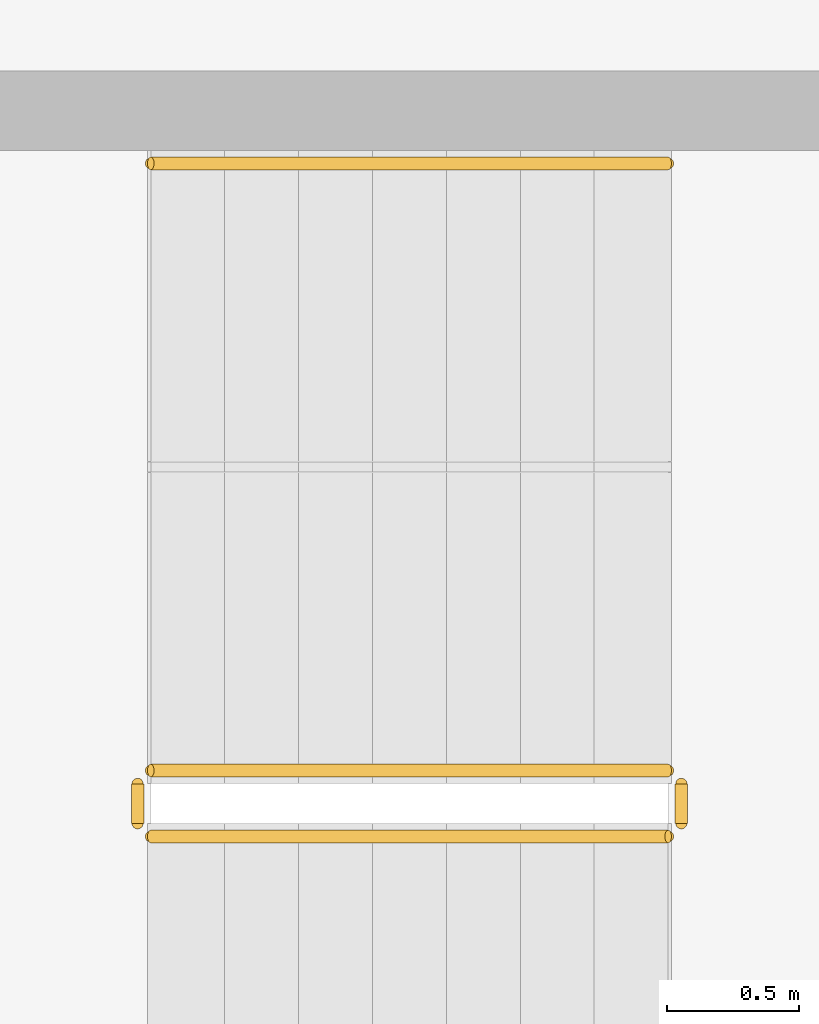
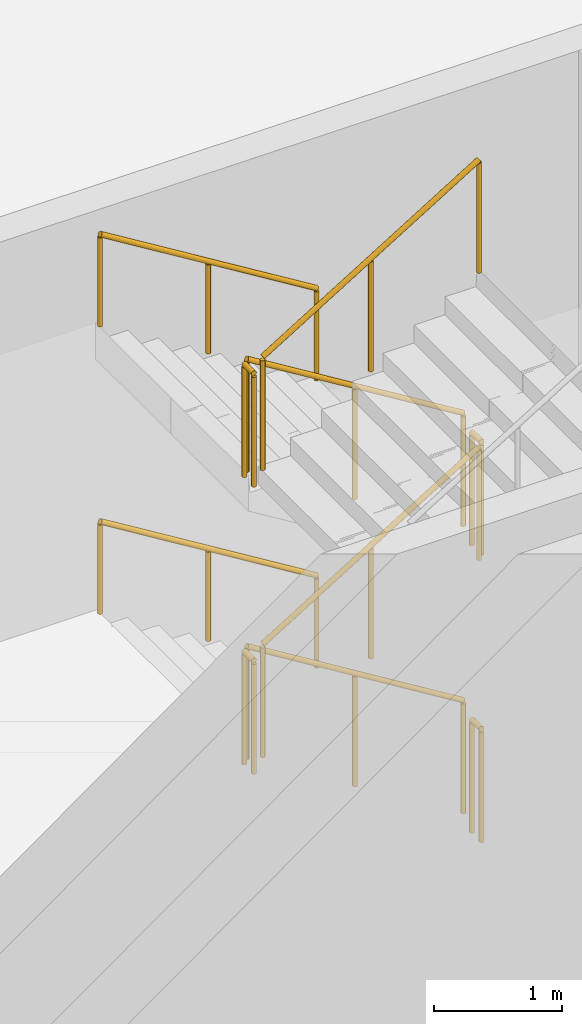
# One storey, part 21 of 25: 10 railings.
"""IFC4 building model written with IfcOpenShell, lengths in metres."""

from ifc_helpers import new_model, si_unit, direction, frame, origin, origin_2d, place, context, subcontext, project, spatial, circle, extrude, material, type_object, element, save


model = new_model("IFC4")

# Units and contexts
model_context = context("Model", 3, precision=1e-05, world=origin(), true_north=direction((0.0, 1.0)))
body_context = subcontext(model_context, "Body", "Model", "MODEL_VIEW")
ifc_project = project(units=[si_unit("LENGTHUNIT", "METRE"), si_unit("AREAUNIT", "SQUARE_METRE"), si_unit("VOLUMEUNIT", "CUBIC_METRE"), si_unit("PLANEANGLEUNIT", "RADIAN"), si_unit("MASSUNIT", "GRAM", prefix="KILO")], contexts=[model_context])

# Site, building, storey
site_placement = place(None, origin())
site = spatial("IfcSite", under=ifc_project, at=site_placement, CompositionType="ELEMENT")
building_placement = place(site_placement, origin())
building = spatial("IfcBuilding", under=site, at=building_placement, Name="Wharfspan Tower", CompositionType="ELEMENT")
storey_placement = place(building_placement, frame((0.0, 0.0, 27.5)))
storey = spatial("IfcBuildingStorey", under=building, at=storey_placement, Name="L04", CompositionType="ELEMENT", Elevation=27.5)

# Railings
ifc_material = material(Name="Steel S355J2", Category="steel")
railing_type_1 = type_object("IfcRailingType", Name="Podium guard 1100", PredefinedType="GUARDRAIL", material=ifc_material)
railing_1_placement = place(storey_placement, frame((-3.199951, 28.824951, 0.171875)))
element("IfcRailing", 1, at=railing_1_placement, inside=storey, type_object=railing_type_1, Name="L04 PS3 stair guard 1", PredefinedType="GUARDRAIL", context=body_context, shape_type="SweptSolid", body=[
    extrude(circle(Radius=0.023926, at=origin_2d()), frame((0.0, 0.0, 1.076172), z_axis=(-0.852241, 0.0, 0.523149), x_axis=(0.0, -1.0, 0.0)), (0.0, 0.0, 1.0), 2.299805),
    extrude(circle(Radius=0.020996, at=origin_2d()), origin(), (0.0, 0.0, 1.0), 1.052002),
    extrude(circle(Radius=0.020996, at=origin_2d()), frame((-0.97998, 0.0, 0.601562)), (0.0, 0.0, 1.0), 1.052002),
    extrude(circle(Radius=0.020996, at=origin_2d()), frame((-1.959961, 0.0, 1.203125)), (0.0, 0.0, 1.0), 1.052002),
])
railing_2_placement = place(storey_placement, frame((-5.209961, 28.774902, 1.375)))
element("IfcRailing", 2, at=railing_2_placement, inside=storey, type_object=railing_type_1, Name="L04 PS3 stair guard 2", PredefinedType="GUARDRAIL", context=body_context, shape_type="SweptSolid", body=[
    extrude(circle(Radius=0.023926, at=origin_2d()), frame((0.0, 0.0, 1.076172), z_axis=(0.0, -1.0, 0.0), x_axis=(1.0, 0.0, 0.0)), (0.0, 0.0, 1.0), 0.149902),
    extrude(circle(Radius=0.020996, at=origin_2d()), origin(), (0.0, 0.0, 1.0), 1.052002),
    extrude(circle(Radius=0.020996, at=origin_2d()), frame((0.0, -0.149902, 0.0)), (0.0, 0.0, 1.0), 1.052002),
])
railing_3_placement = place(storey_placement, frame((-5.159912, 28.574951, 1.546875)))
element("IfcRailing", 3, at=railing_3_placement, inside=storey, type_object=railing_type_1, Name="L04 PS3 stair guard 3", PredefinedType="GUARDRAIL", context=body_context, shape_type="SweptSolid", body=[
    extrude(circle(Radius=0.023926, at=origin_2d()), frame((0.0, 0.0, 1.076172), z_axis=(0.852241, 0.0, 0.523149), x_axis=(0.0, 1.0, 0.0)), (0.0, 0.0, 1.0), 2.299805),
    extrude(circle(Radius=0.020996, at=origin_2d()), origin(), (0.0, 0.0, 1.0), 1.052002),
    extrude(circle(Radius=0.020996, at=origin_2d()), frame((0.97998, 0.0, 0.601562)), (0.0, 0.0, 1.0), 1.052002),
    extrude(circle(Radius=0.020996, at=origin_2d()), frame((1.959961, 0.0, 1.203125)), (0.0, 0.0, 1.0), 1.052002),
])
railing_4_placement = place(storey_placement, frame((-3.149902, 28.774902, 2.75)))
element("IfcRailing", 4, at=railing_4_placement, inside=storey, type_object=railing_type_1, Name="L04 PS3 stair guard 4", PredefinedType="GUARDRAIL", context=body_context, shape_type="SweptSolid", body=[
    extrude(circle(Radius=0.023926, at=origin_2d()), frame((0.0, 0.0, 1.076172), z_axis=(0.0, -1.0, 0.0), x_axis=(1.0, 0.0, 0.0)), (0.0, 0.0, 1.0), 0.149902),
    extrude(circle(Radius=0.020996, at=origin_2d()), origin(), (0.0, 0.0, 1.0), 1.052002),
    extrude(circle(Radius=0.020996, at=origin_2d()), frame((0.0, -0.149902, 0.0)), (0.0, 0.0, 1.0), 1.052002),
])
railing_5_placement = place(storey_placement, frame((-3.199951, 28.824951, 2.921875)))
element("IfcRailing", 5, at=railing_5_placement, inside=storey, type_object=railing_type_1, Name="L04 PS3 stair guard 5", PredefinedType="GUARDRAIL", context=body_context, shape_type="SweptSolid", body=[
    extrude(circle(Radius=0.023926, at=origin_2d()), frame((0.0, 0.0, 1.076172), z_axis=(-0.852241, 0.0, 0.523149), x_axis=(0.0, -1.0, 0.0)), (0.0, 0.0, 1.0), 2.299805),
    extrude(circle(Radius=0.020996, at=origin_2d()), origin(), (0.0, 0.0, 1.0), 1.052002),
    extrude(circle(Radius=0.020996, at=origin_2d()), frame((-0.97998, 0.0, 0.601562)), (0.0, 0.0, 1.0), 1.052002),
    extrude(circle(Radius=0.020996, at=origin_2d()), frame((-1.959961, 0.0, 1.203125)), (0.0, 0.0, 1.0), 1.052002),
])
railing_6_placement = place(storey_placement, frame((-5.209961, 28.774902, 4.125)))
element("IfcRailing", 6, at=railing_6_placement, inside=storey, type_object=railing_type_1, Name="L04 PS3 stair guard 6", PredefinedType="GUARDRAIL", context=body_context, shape_type="SweptSolid", body=[
    extrude(circle(Radius=0.023926, at=origin_2d()), frame((0.0, 0.0, 1.076172), z_axis=(0.0, -1.0, 0.0), x_axis=(1.0, 0.0, 0.0)), (0.0, 0.0, 1.0), 0.149902),
    extrude(circle(Radius=0.020996, at=origin_2d()), origin(), (0.0, 0.0, 1.0), 1.052002),
    extrude(circle(Radius=0.020996, at=origin_2d()), frame((0.0, -0.149902, 0.0)), (0.0, 0.0, 1.0), 1.052002),
])
railing_7_placement = place(storey_placement, frame((-5.159912, 28.574951, 4.296875)))
element("IfcRailing", 7, at=railing_7_placement, inside=storey, type_object=railing_type_1, Name="L04 PS3 stair guard 7", PredefinedType="GUARDRAIL", context=body_context, shape_type="SweptSolid", body=[
    extrude(circle(Radius=0.023926, at=origin_2d()), frame((0.0, 0.0, 1.076172), z_axis=(0.852241, 0.0, 0.523149), x_axis=(0.0, 1.0, 0.0)), (0.0, 0.0, 1.0), 2.299805),
    extrude(circle(Radius=0.020996, at=origin_2d()), origin(), (0.0, 0.0, 1.0), 1.052002),
    extrude(circle(Radius=0.020996, at=origin_2d()), frame((0.97998, 0.0, 0.601562)), (0.0, 0.0, 1.0), 1.052002),
    extrude(circle(Radius=0.020996, at=origin_2d()), frame((1.959961, 0.0, 1.203125)), (0.0, 0.0, 1.0), 1.052002),
])
railing_8_placement = place(storey_placement, frame((-3.149902, 28.774902, 0.0)))
element("IfcRailing", 8, at=railing_8_placement, inside=storey, type_object=railing_type_1, Name="L04 PS3 stair guard 8", PredefinedType="GUARDRAIL", context=body_context, shape_type="SweptSolid", body=[
    extrude(circle(Radius=0.023926, at=origin_2d()), frame((0.0, 0.0, 1.076172), z_axis=(0.0, -1.0, 0.0), x_axis=(1.0, 0.0, 0.0)), (0.0, 0.0, 1.0), 0.149902),
    extrude(circle(Radius=0.020996, at=origin_2d()), origin(), (0.0, 0.0, 1.0), 1.052002),
    extrude(circle(Radius=0.020996, at=origin_2d()), frame((0.0, -0.149902, 0.0)), (0.0, 0.0, 1.0), 1.052002),
])
railing_type_2 = type_object("IfcRailingType", Name="Podium stair handrail 900", PredefinedType="HANDRAIL", material=ifc_material)
for number, where, name in (
    (9, (-3.199951, 31.125, 0.171875), "L04 PS3 stair handrail 1"),
    (10, (-3.199951, 31.125, 2.921875), "L04 PS3 stair handrail 3"),
):
    element("IfcRailing", number, at=place(storey_placement, frame(where)), inside=storey, type_object=railing_type_2, Name=name, PredefinedType="HANDRAIL", context=body_context, shape_type="SweptSolid", body=[
        extrude(circle(Radius=0.023926, at=origin_2d()), frame((0.0, 0.0, 0.875977), z_axis=(-0.852241, 0.0, 0.523149), x_axis=(0.0, -1.0, 0.0)), (0.0, 0.0, 1.0), 2.299805),
        extrude(circle(Radius=0.020996, at=origin_2d()), origin(), (0.0, 0.0, 1.0), 0.851807),
        extrude(circle(Radius=0.020996, at=origin_2d()), frame((-0.97998, 0.0, 0.601562)), (0.0, 0.0, 1.0), 0.851807),
        extrude(circle(Radius=0.020996, at=origin_2d()), frame((-1.959961, 0.0, 1.203125)), (0.0, 0.0, 1.0), 0.851807),
    ])

save(model, "model.ifc")
